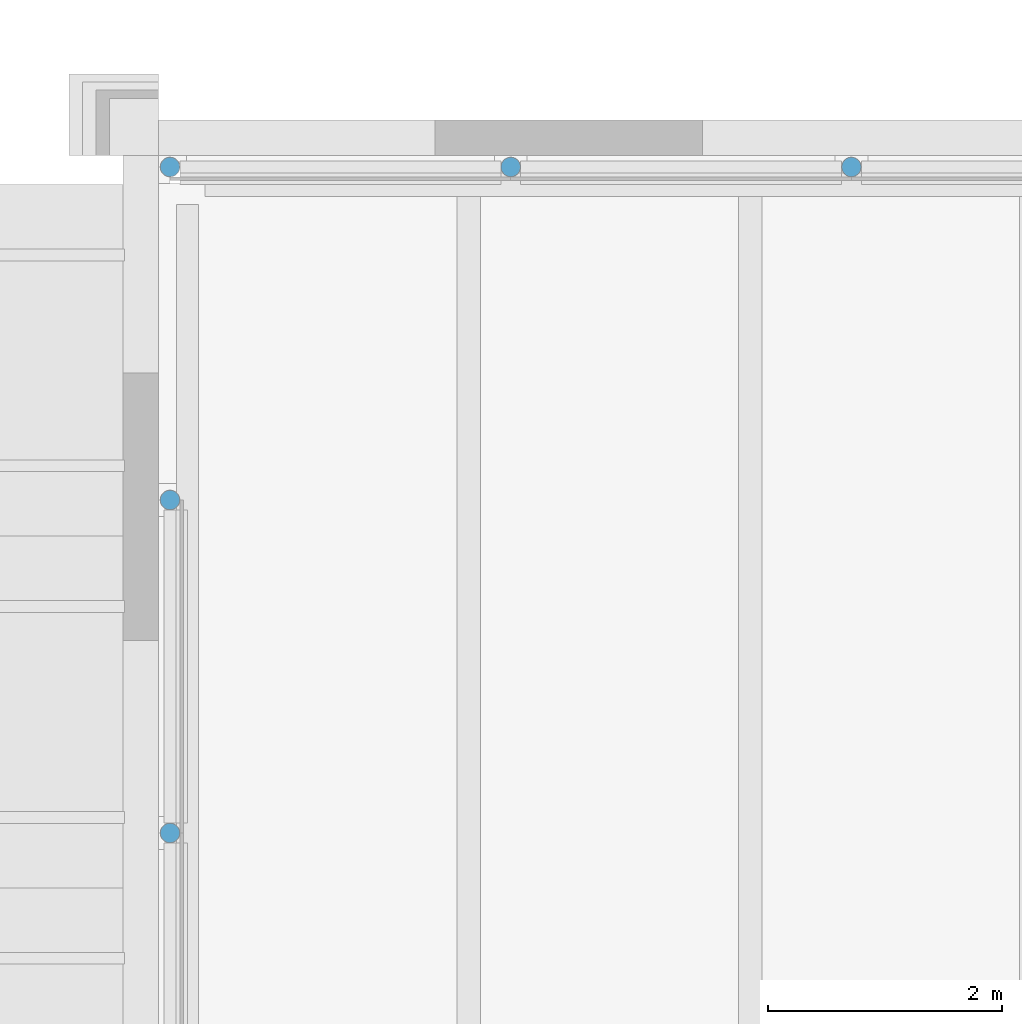
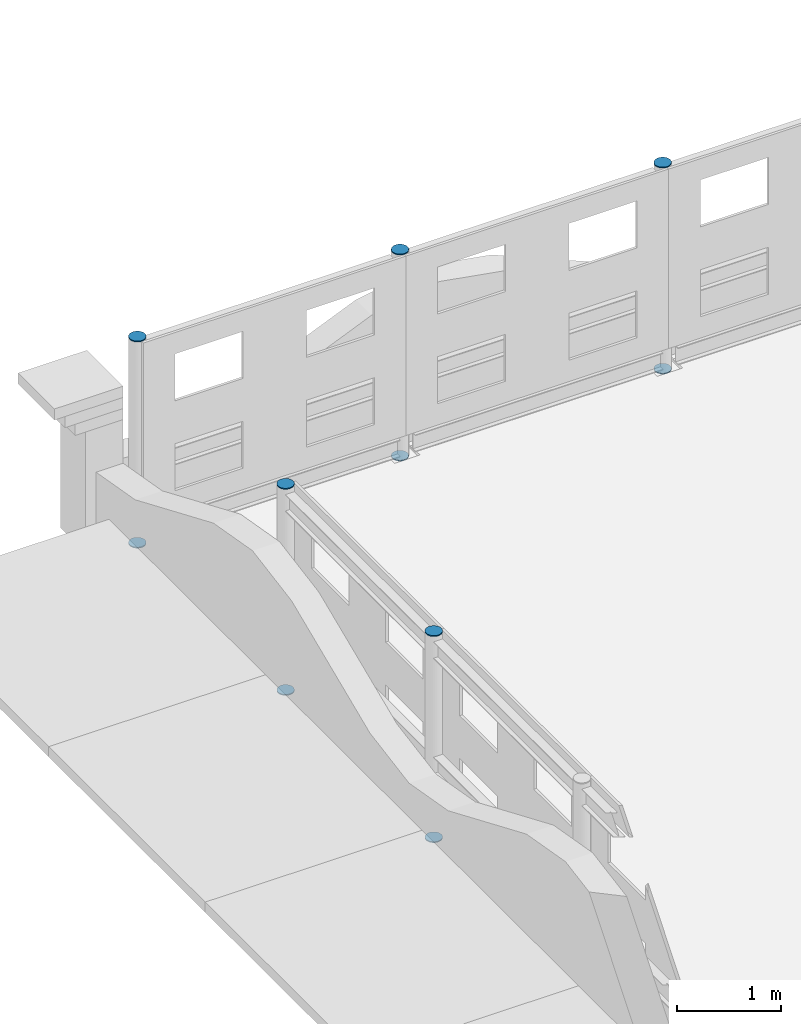
# One storey, part 73 of 91: 10 discrete accessories.
"""IFC4 building model written with IfcOpenShell, lengths in metres."""

import ifcopenshell
import ifcopenshell.guid

model = None  # the IFC model being written
_history = None  # IfcOwnerHistory: only IFC2X3 demands one
_inside = {}  # id of a spatial element -> (the spatial element, [elements in it])
_under = {}  # id of a project, library or spatial element -> (it, [spatial elements below it])
_declared = {}  # id of a project -> (the project, [libraries it declares])
_typed = {}  # id of a type object -> (the type object, [elements of that type])
_made_of = {}  # id of a material, layer set ... -> (it, [elements and type objects made of it])


def new_model(schema):
    """Start an empty IFC model of exactly this schema.

    Asked for "IFC4X3", IfcOpenShell would pick the latest addendum, in which some entities
    have other attributes; the version numbers below select the first issue.
    IFC2X3 requires an IfcOwnerHistory on every rooted entity: one is made here for all.
    """
    global model, _history
    if schema == "IFC4X3":
        model = ifcopenshell.file(schema_version=(4, 3, 0, 0))
    else:
        model = ifcopenshell.file(schema=schema)
    _inside.clear()
    _under.clear()
    _declared.clear()
    _typed.clear()
    _made_of.clear()
    _history = None
    if model.schema == "IFC2X3":
        org = make("IfcOrganization", Name="unknown")
        user = make(
            "IfcPersonAndOrganization",
            ThePerson=make("IfcPerson", FamilyName="unknown"),
            TheOrganization=org,
        )
        app = make(
            "IfcApplication",
            ApplicationDeveloper=org,
            Version="unknown",
            ApplicationFullName="unknown",
            ApplicationIdentifier="unknown",
        )
        _history = make(
            "IfcOwnerHistory",
            OwningUser=user,
            OwningApplication=app,
            ChangeAction="ADDED",
            CreationDate=0,
        )
    return model


def make(cls, **values):
    """One entity of the class cls with the attributes given. An attribute that is None is left unset."""
    return model.create_entity(
        cls, **{name: value for name, value in values.items() if value is not None}
    )


def rooted(cls, **values):
    """An entity with a GlobalId (a new one), such as an element, a storey or a relation."""
    return make(cls, GlobalId=ifcopenshell.guid.new(), OwnerHistory=_history, **values)


def si_unit(unit_type, name, prefix=None):
    """IfcSIUnit, for example si_unit("LENGTHUNIT", "METRE", prefix="MILLI")."""
    return make("IfcSIUnit", UnitType=unit_type, Prefix=prefix, Name=name)


def assignment(units):
    """IfcUnitAssignment: the units of a project."""
    return None if units is None else make("IfcUnitAssignment", Units=units)


def point(xyz):
    """IfcCartesianPoint."""
    return None if xyz is None else make("IfcCartesianPoint", Coordinates=xyz)


def direction(xyz):
    """IfcDirection."""
    return None if xyz is None else make("IfcDirection", DirectionRatios=xyz)


def frame(location, z_axis=None, x_axis=None):
    """IfcAxis2Placement3D, a coordinate frame: its origin and axes. An axis left out is left unset."""
    return make(
        "IfcAxis2Placement3D",
        Location=point(location),
        Axis=direction(z_axis),
        RefDirection=direction(x_axis),
    )


def frame_2d(location, x_axis=None):
    """IfcAxis2Placement2D, a coordinate frame in the plane: its origin and x axis."""
    return make(
        "IfcAxis2Placement2D", Location=point(location), RefDirection=direction(x_axis)
    )


def origin():
    """The frame at (0, 0, 0) with its axes left unset."""
    return frame((0.0, 0.0, 0.0))


def origin_2d():
    """The frame at (0, 0) in the plane with its x axis left unset."""
    return frame_2d((0.0, 0.0))


def place(relative_to, where):
    """IfcLocalPlacement: puts the frame where relative to a parent placement (None: the world)."""
    return make(
        "IfcLocalPlacement", PlacementRelTo=relative_to, RelativePlacement=where
    )


def context(
    kind, dimensions, precision=None, world=None, true_north=None, identifier=None
):
    """IfcGeometricRepresentationContext, for example the 3D "Model" context."""
    return make(
        "IfcGeometricRepresentationContext",
        ContextIdentifier=identifier,
        ContextType=kind,
        CoordinateSpaceDimension=dimensions,
        Precision=precision,
        WorldCoordinateSystem=world,
        TrueNorth=true_north,
    )


def subcontext(parent, identifier, kind, view, scale=None):
    """IfcGeometricRepresentationSubContext, for example "Body" below "Model"."""
    return make(
        "IfcGeometricRepresentationSubContext",
        ContextIdentifier=identifier,
        ContextType=kind,
        ParentContext=parent,
        TargetScale=scale,
        TargetView=view,
    )


def project(units=None, contexts=None):
    """IfcProject with its units and contexts."""
    return rooted(
        "IfcProject",
        Name="project",
        RepresentationContexts=contexts,
        UnitsInContext=assignment(units),
    )


def spatial(cls, under=None, at=None, **own):
    """A site, building, storey or space (cls), placed at a placement, below another one or the project."""
    s = rooted(cls, ObjectPlacement=at, **own)
    if under is not None:
        _under.setdefault(under.id(), (under, []))[1].append(s)
    return s


def profile(cls, at=None, kind="AREA", **sizes):
    """A parametric profile (cls). Its sizes go by their IFC names, for example OverallWidth=200.0."""
    return make(cls, ProfileType=kind, Position=at, **sizes)


def circle(**sizes):
    """IfcCircleProfileDef."""
    return profile("IfcCircleProfileDef", **sizes)


def extrude(swept, where, along, depth):
    """IfcExtrudedAreaSolid: the profile swept, set in the frame where, extruded along a direction by depth."""
    return make(
        "IfcExtrudedAreaSolid",
        SweptArea=swept,
        Position=where,
        ExtrudedDirection=direction(along),
        Depth=depth,
    )


def shape(context_of_items, identifier, shape_type, items):
    """IfcShapeRepresentation: the items that make up one representation, for example the "Body"."""
    return make(
        "IfcShapeRepresentation",
        ContextOfItems=context_of_items,
        RepresentationIdentifier=identifier,
        RepresentationType=shape_type,
        Items=items,
    )


def material(Name=None, Category=None):
    """IfcMaterial."""
    return make("IfcMaterial", Name=Name, Category=Category)


def material_profile(
    of_material, cross_section, Name=None, Category=None, Priority=None
):
    """IfcMaterialProfile: a cross section and its material."""
    return make(
        "IfcMaterialProfile",
        Name=Name,
        Material=of_material,
        Profile=cross_section,
        Priority=Priority,
        Category=Category,
    )


def profile_set(profiles, Name=None, composite=None):
    """IfcMaterialProfileSet."""
    return make(
        "IfcMaterialProfileSet",
        Name=Name,
        MaterialProfiles=profiles,
        CompositeProfile=composite,
    )


def made_of(thing, what):
    """Note that an element or type object is made of a material, layer set ...; save() writes the relation."""
    if what is not None:
        _made_of.setdefault(what.id(), (what, []))[1].append(thing)
    return thing


def type_object(cls, material=None, **own):
    """A type object (cls), such as IfcWallType, which elements share."""
    return made_of(rooted(cls, **own), material)


def element(
    cls,
    number,
    at=None,
    inside=None,
    cuts=None,
    type_object=None,
    material=None,
    context=None,
    identifier="Body",
    shape_type=None,
    held_by="IfcProductDefinitionShape",
    body=None,
    shapes=None,
    **own,
):
    """One element of the class cls, such as IfcWall. Its Tag is "e" and its number.

    at: its placement. inside: the storey or other place that contains it. cuts: it is an
    opening in that element (IfcRelVoidsElement). A single representation is given by context,
    identifier, shape_type and body (its items); several are given by shapes. held_by: the class
    of the entity that holds the representations. save() writes the other relations.
    """
    e = rooted(cls, Tag="e%d" % number, ObjectPlacement=at, **own)
    if body is not None:
        shapes = [shape(context, identifier, shape_type, body)]
    if shapes is not None:
        e.Representation = make(held_by, Representations=shapes)
    if inside is not None:
        _inside.setdefault(inside.id(), (inside, []))[1].append(e)
    if cuts is not None:
        rooted(
            "IfcRelVoidsElement", RelatingBuildingElement=cuts, RelatedOpeningElement=e
        )
    if type_object is not None:
        _typed.setdefault(type_object.id(), (type_object, []))[1].append(e)
    return made_of(e, material)


def aggregate(whole, parts):
    """IfcRelAggregates: a whole, such as a stair, and the parts it consists of."""
    return rooted("IfcRelAggregates", RelatingObject=whole, RelatedObjects=parts)


def save(model, path):
    """Write the relations noted so far, then the file.

    IfcRelAggregates (storeys below a building ...), IfcRelContainedInSpatialStructure (elements
    in a storey), IfcRelDefinesByType, IfcRelAssociatesMaterial and IfcRelDeclares: one each for
    every whole, place, type object, material and project.
    """
    for whole, parts in _under.values():
        aggregate(whole, parts)
    for where, things in _inside.values():
        rooted(
            "IfcRelContainedInSpatialStructure",
            RelatedElements=things,
            RelatingStructure=where,
        )
    for kind, things in _typed.values():
        rooted("IfcRelDefinesByType", RelatedObjects=things, RelatingType=kind)
    for what, things in _made_of.values():
        rooted("IfcRelAssociatesMaterial", RelatedObjects=things, RelatingMaterial=what)
    for by, libraries in _declared.values():
        rooted("IfcRelDeclares", RelatingContext=by, RelatedDefinitions=libraries)
    model.write(path)


model = new_model("IFC4")

# Units and contexts
model_context = context("Model", 3, precision=1e-05, world=origin(), true_north=direction((0.0, 1.0)))
body_context = subcontext(model_context, "Body", "Model", "MODEL_VIEW")
ifc_project = project(units=[si_unit("LENGTHUNIT", "METRE"), si_unit("AREAUNIT", "SQUARE_METRE"), si_unit("VOLUMEUNIT", "CUBIC_METRE"), si_unit("PLANEANGLEUNIT", "RADIAN"), si_unit("MASSUNIT", "GRAM", prefix="KILO")], contexts=[model_context])

# Site, building, storey
site_placement = place(None, origin())
site = spatial("IfcSite", under=ifc_project, at=site_placement, CompositionType="ELEMENT")
building_placement = place(site_placement, origin())
building = spatial("IfcBuilding", under=site, at=building_placement, Name="Ravi Spectrum Wholesale Market", CompositionType="ELEMENT")
storey_placement = place(building_placement, frame((0.0, 0.0, 16.199951171875)))
storey = spatial("IfcBuildingStorey", under=building, at=storey_placement, Name="ROOF PLANT LEVEL", CompositionType="ELEMENT", Elevation=16.199951171875)

# Discrete accessories
ifc_material = material(Name="Steel S355", Category="steel")
ifc_material_profile = material_profile(ifc_material, circle(Radius=0.084228515625, at=origin_2d()))
ifc_profile_set = profile_set([ifc_material_profile], Name="Steel S355")
discrete_accessory_type = type_object("IfcDiscreteAccessoryType", Name="End plate CHS 168.3x6.3", PredefinedType="BRACKET", material=ifc_profile_set)
for number, where, z_axis, x_axis, name in (
    (1, (203.663818359375, 66.14990234375, 0.0), (0.0, 0.0, -1.0), (1.0, 0.0, 0.0), "End plate"),
    (2, (203.663818359375, 66.14990234375, 2.400146484375), (0.0, 0.0, 1.0), (1.0, 0.0, 0.0), "End plate"),
    (3, (200.7568359375, 66.14990234375, 0.0), (0.0, 0.0, -1.0), (1.0, 0.0, 0.0), "End plate"),
    (4, (200.7568359375, 66.14990234375, 2.400146484375), (0.0, 0.0, 1.0), (1.0, 0.0, 0.0), "End plate"),
    (5, (197.85009765625, 66.14990234375, 0.0), (0.0, 0.0, -1.0), (1.0, 0.0, 0.0), "End plate"),
    (6, (197.85009765625, 66.14990234375, 2.400146484375), (0.0, 0.0, 1.0), (1.0, 0.0, 0.0), "End plate"),
    (7, (197.85009765625, 63.308837890625, 0.0), (0.0, 0.0, -1.0), (1.0, 0.0, 0.0), "End plate"),
    (8, (197.85009765625, 63.308837890625, 2.400146484375), (0.0, 0.0, 1.0), (1.0, 0.0, 0.0), "End plate"),
    (9, (197.85009765625, 60.467529296875, 0.0), (0.0, 0.0, -1.0), (1.0, 0.0, 0.0), "End plate"),
    (10, (197.85009765625, 60.467529296875, 2.400146484375), (0.0, 0.0, 1.0), (1.0, 0.0, 0.0), "End plate"),
):
    element("IfcDiscreteAccessory", number, at=place(storey_placement, frame(where, z_axis=z_axis, x_axis=x_axis)), inside=storey, type_object=discrete_accessory_type, Name=name, PredefinedType="BRACKET", context=body_context, shape_type="SweptSolid", body=[
        extrude(circle(Radius=0.084228515625, at=origin_2d()), origin(), (0.0, 0.0, 1.0), 0.011962890625),
    ])

save(model, "model.ifc")
